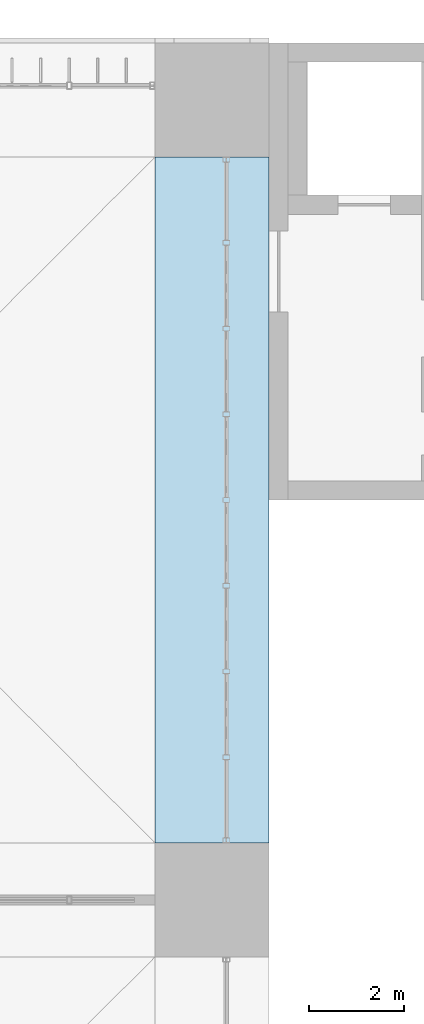
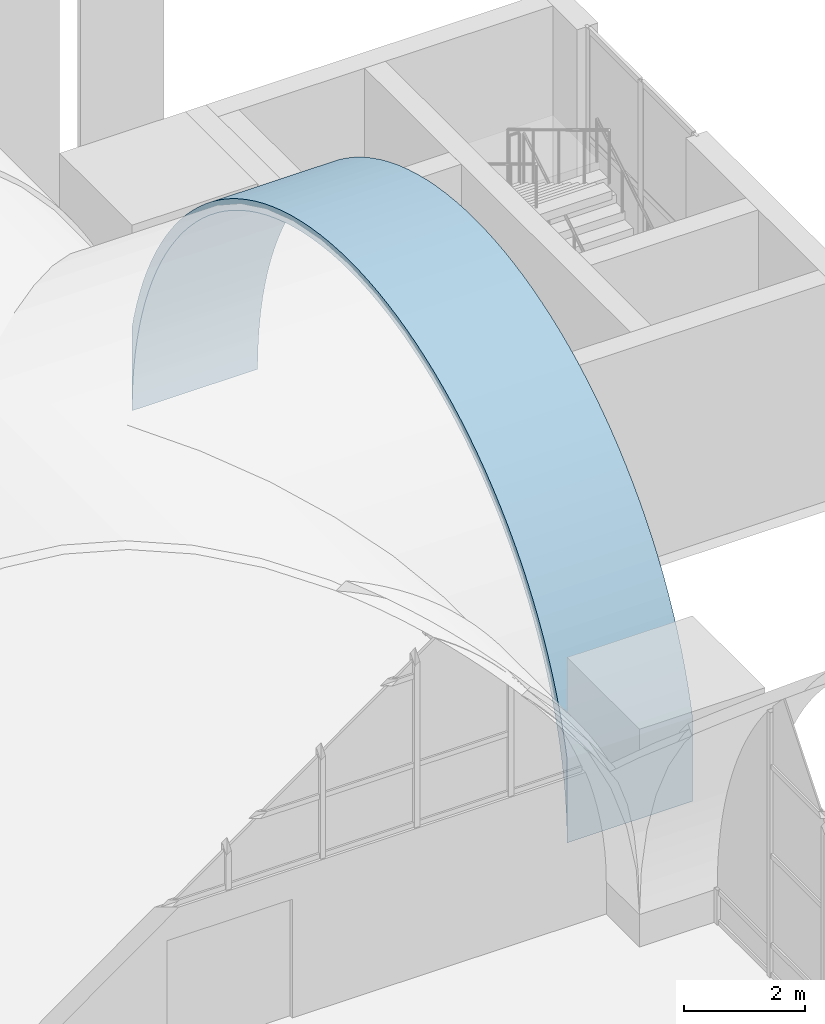
# One storey, part 146 of 169: 1 roof.
"""IFC4 building model written with IfcOpenShell, lengths in metres."""

from ifc_helpers import new_model, si_unit, direction, frame, origin, place, context, subcontext, project, spatial, polygons, material, layer, layer_set, type_object, element, save


model = new_model("IFC4")

# Units and contexts
model_context = context("Model", 3, precision=1e-05, world=origin(), true_north=direction((0.0, 1.0)))
body_context = subcontext(model_context, "Body", "Model", "MODEL_VIEW")
ifc_project = project(units=[si_unit("LENGTHUNIT", "METRE"), si_unit("AREAUNIT", "SQUARE_METRE"), si_unit("VOLUMEUNIT", "CUBIC_METRE"), si_unit("PLANEANGLEUNIT", "RADIAN"), si_unit("MASSUNIT", "GRAM", prefix="KILO")], contexts=[model_context])

# Site, building, storey
site_placement = place(None, origin())
site = spatial("IfcSite", under=ifc_project, at=site_placement, CompositionType="ELEMENT")
building_placement = place(site_placement, origin())
building = spatial("IfcBuilding", under=site, at=building_placement, Name="Verrick Yard Athletic Hall", CompositionType="ELEMENT")
storey_placement = place(building_placement, frame((0.0, 0.0, 4.39990234375)))
storey = spatial("IfcBuildingStorey", under=building, at=storey_placement, Name="L01", CompositionType="ELEMENT", Elevation=4.39990234375)

# Roof
ifc_material = material(Name="Concrete 35 MPa", Category="concrete")
ifc_layer = layer(ifc_material, 0.199951171875)
ifc_layer_set = layer_set([ifc_layer], Name="Arch rib 200")
roof_type = type_object("IfcRoofType", Name="Arch rib 200", PredefinedType="BARREL_ROOF", material=ifc_layer_set)
roof_placement = place(storey_placement, origin())
element("IfcRoof", 1, at=roof_placement, inside=storey, type_object=roof_type, Name="Vault rib X8-2", PredefinedType="BARREL_ROOF", context=body_context, shape_type="Tessellation", body=[
    polygons([(158.800048828125, 37.199951171875, 2.352294921875), (158.800048828125, 37.199951171875, 0.650146484375), (158.800048828125, 37.206787109375, 0.964111328125), (158.800048828125, 37.227294921875, 1.277587890625), (158.800048828125, 37.26171875, 1.58984375), (158.800048828125, 37.309326171875, 1.900390625), (158.800048828125, 37.37060546875, 2.20849609375), (158.800048828125, 37.4453125, 2.513671875), (158.800048828125, 37.533203125, 2.815185546875), (158.800048828125, 37.63427734375, 3.112548828125), (158.800048828125, 37.748046875, 3.405517578125), (158.800048828125, 37.87451171875, 3.693115234375), (158.800048828125, 38.013427734375, 3.974609375), (158.800048828125, 38.16455078125, 4.25), (158.800048828125, 38.32763671875, 4.518798828125), (158.800048828125, 38.502197265625, 4.77978515625), (158.800048828125, 38.68798828125, 5.033203125), (158.800048828125, 38.884521484375, 5.278076171875), (158.800048828125, 39.091552734375, 5.514404296875), (158.800048828125, 39.308837890625, 5.7412109375), (158.800048828125, 39.535888671875, 5.95849609375), (158.800048828125, 39.77197265625, 6.16552734375), (158.800048828125, 40.016845703125, 6.3623046875), (158.800048828125, 40.270263671875, 6.548095703125), (158.800048828125, 40.531494140625, 6.722412109375), (158.800048828125, 40.800048828125, 6.885498046875), (158.800048828125, 41.075439453125, 7.03662109375), (158.800048828125, 41.357177734375, 7.175537109375), (158.800048828125, 41.644775390625, 7.302001953125), (158.800048828125, 41.9375, 7.416015625), (158.800048828125, 42.23486328125, 7.516845703125), (158.800048828125, 42.53662109375, 7.604736328125), (158.800048828125, 42.841552734375, 7.679443359375), (158.800048828125, 43.149658203125, 7.74072265625), (158.800048828125, 43.460205078125, 7.78857421875), (158.800048828125, 43.7724609375, 7.82275390625), (158.800048828125, 44.0859375, 7.84326171875), (158.800048828125, 44.39990234375, 7.85009765625), (158.800048828125, 44.714111328125, 7.84326171875), (158.800048828125, 45.027587890625, 7.82275390625), (158.800048828125, 45.33984375, 7.78857421875), (158.800048828125, 45.650390625, 7.74072265625), (158.800048828125, 45.95849609375, 7.679443359375), (158.800048828125, 46.263427734375, 7.604736328125), (158.800048828125, 46.565185546875, 7.516845703125), (158.800048828125, 46.862548828125, 7.416015625), (158.800048828125, 47.1552734375, 7.302001953125), (158.800048828125, 47.44287109375, 7.175537109375), (158.800048828125, 47.724609375, 7.03662109375), (158.800048828125, 48.0, 6.885498046875), (158.800048828125, 48.2685546875, 6.722412109375), (158.800048828125, 48.52978515625, 6.548095703125), (158.800048828125, 48.783203125, 6.3623046875), (158.800048828125, 49.028076171875, 6.16552734375), (158.800048828125, 49.26416015625, 5.95849609375), (158.800048828125, 49.4912109375, 5.7412109375), (158.800048828125, 49.70849609375, 5.514404296875), (158.800048828125, 49.91552734375, 5.278076171875), (158.800048828125, 50.112060546875, 5.033203125), (158.800048828125, 50.2978515625, 4.77978515625), (158.800048828125, 50.472412109375, 4.518798828125), (158.800048828125, 50.635498046875, 4.25), (158.800048828125, 50.78662109375, 3.974609375), (158.800048828125, 50.92529296875, 3.693115234375), (158.800048828125, 51.052001953125, 3.405517578125), (158.800048828125, 51.165771484375, 3.112548828125), (158.800048828125, 51.266845703125, 2.815185546875), (158.800048828125, 51.354736328125, 2.513671875), (158.800048828125, 51.42919921875, 2.20849609375), (158.800048828125, 51.490478515625, 1.900390625), (158.800048828125, 51.538330078125, 1.58984375), (158.800048828125, 51.572509765625, 1.277587890625), (158.800048828125, 51.593017578125, 0.964111328125), (158.800048828125, 51.60009765625, 0.650146484375), (158.800048828125, 51.60009765625, 2.352294921875), (158.800048828125, 51.5478515625, 2.5654296875), (158.800048828125, 51.45751953125, 2.875244140625), (158.800048828125, 51.353759765625, 3.180908203125), (158.800048828125, 51.23681640625, 3.48193359375), (158.800048828125, 51.106689453125, 3.777587890625), (158.800048828125, 50.9638671875, 4.06689453125), (158.800048828125, 50.80859375, 4.35009765625), (158.800048828125, 50.64111328125, 4.6259765625), (158.800048828125, 50.461669921875, 4.89453125), (158.800048828125, 50.270751953125, 5.15478515625), (158.800048828125, 50.068603515625, 5.40673828125), (158.800048828125, 49.85595703125, 5.6494140625), (158.800048828125, 49.632568359375, 5.8828125), (158.800048828125, 49.3994140625, 6.10595703125), (158.800048828125, 49.156494140625, 6.31884765625), (158.800048828125, 48.90478515625, 6.52099609375), (158.800048828125, 48.64453125, 6.7119140625), (158.800048828125, 48.3759765625, 6.89111328125), (158.800048828125, 48.10009765625, 7.05859375), (158.800048828125, 47.81689453125, 7.214111328125), (158.800048828125, 47.52734375, 7.356689453125), (158.800048828125, 47.23193359375, 7.48681640625), (158.800048828125, 46.930908203125, 7.603759765625), (158.800048828125, 46.625244140625, 7.70751953125), (158.800048828125, 46.315185546875, 7.798095703125), (158.800048828125, 46.001708984375, 7.874755859375), (158.800048828125, 45.68505859375, 7.937744140625), (158.800048828125, 45.365966796875, 7.98681640625), (158.800048828125, 45.044921875, 8.02197265625), (158.800048828125, 44.722900390625, 8.043212890625), (158.800048828125, 44.39990234375, 8.050048828125), (158.800048828125, 44.0771484375, 8.043212890625), (158.800048828125, 43.7548828125, 8.02197265625), (158.800048828125, 43.43408203125, 7.98681640625), (158.800048828125, 43.114990234375, 7.937744140625), (158.800048828125, 42.79833984375, 7.874755859375), (158.800048828125, 42.484619140625, 7.798095703125), (158.800048828125, 42.1748046875, 7.70751953125), (158.800048828125, 41.869140625, 7.603759765625), (158.800048828125, 41.568115234375, 7.48681640625), (158.800048828125, 41.272705078125, 7.356689453125), (158.800048828125, 40.983154296875, 7.214111328125), (158.800048828125, 40.699951171875, 7.05859375), (158.800048828125, 40.424072265625, 6.89111328125), (158.800048828125, 40.155517578125, 6.7119140625), (158.800048828125, 39.895263671875, 6.52099609375), (158.800048828125, 39.643310546875, 6.31884765625), (158.800048828125, 39.400634765625, 6.10595703125), (158.800048828125, 39.16748046875, 5.8828125), (158.800048828125, 38.944091796875, 5.6494140625), (158.800048828125, 38.731201171875, 5.40673828125), (158.800048828125, 38.529296875, 5.15478515625), (158.800048828125, 38.33837890625, 4.89453125), (158.800048828125, 38.158935546875, 4.6259765625), (158.800048828125, 37.991455078125, 4.35009765625), (158.800048828125, 37.836181640625, 4.06689453125), (158.800048828125, 37.693359375, 3.777587890625), (158.800048828125, 37.563232421875, 3.48193359375), (158.800048828125, 37.4462890625, 3.180908203125), (158.800048828125, 37.342529296875, 2.875244140625), (158.800048828125, 37.252197265625, 2.5654296875), (156.39990234375, 37.199951171875, 2.352294921875), (156.39990234375, 37.199951171875, 0.650146484375), (156.39990234375, 37.206787109375, 0.964111328125), (156.39990234375, 37.227294921875, 1.277587890625), (156.39990234375, 37.26171875, 1.58984375), (156.39990234375, 37.309326171875, 1.900390625), (156.39990234375, 37.37060546875, 2.20849609375), (156.39990234375, 37.4453125, 2.513671875), (156.39990234375, 37.533203125, 2.815185546875), (156.39990234375, 37.63427734375, 3.112548828125), (156.39990234375, 37.748046875, 3.405517578125), (156.39990234375, 37.87451171875, 3.693115234375), (156.39990234375, 38.013427734375, 3.974609375), (156.39990234375, 38.16455078125, 4.25), (156.39990234375, 38.32763671875, 4.518798828125), (156.39990234375, 38.502197265625, 4.77978515625), (156.39990234375, 38.68798828125, 5.033203125), (156.39990234375, 38.884521484375, 5.278076171875), (156.39990234375, 39.091552734375, 5.514404296875), (156.39990234375, 39.308837890625, 5.7412109375), (156.39990234375, 39.535888671875, 5.95849609375), (156.39990234375, 39.77197265625, 6.16552734375), (156.39990234375, 40.016845703125, 6.3623046875), (156.39990234375, 40.270263671875, 6.548095703125), (156.39990234375, 40.531494140625, 6.722412109375), (156.39990234375, 40.800048828125, 6.885498046875), (156.39990234375, 41.075439453125, 7.03662109375), (156.39990234375, 41.357177734375, 7.175537109375), (156.39990234375, 41.644775390625, 7.302001953125), (156.39990234375, 41.9375, 7.416015625), (156.39990234375, 42.23486328125, 7.516845703125), (156.39990234375, 42.53662109375, 7.604736328125), (156.39990234375, 42.841552734375, 7.679443359375), (156.39990234375, 43.149658203125, 7.74072265625), (156.39990234375, 43.460205078125, 7.78857421875), (156.39990234375, 43.7724609375, 7.82275390625), (156.39990234375, 44.0859375, 7.84326171875), (156.39990234375, 44.39990234375, 7.85009765625), (156.39990234375, 44.714111328125, 7.84326171875), (156.39990234375, 45.027587890625, 7.82275390625), (156.39990234375, 45.33984375, 7.78857421875), (156.39990234375, 45.650390625, 7.74072265625), (156.39990234375, 45.95849609375, 7.679443359375), (156.39990234375, 46.263427734375, 7.604736328125), (156.39990234375, 46.565185546875, 7.516845703125), (156.39990234375, 46.862548828125, 7.416015625), (156.39990234375, 47.1552734375, 7.302001953125), (156.39990234375, 47.44287109375, 7.175537109375), (156.39990234375, 47.724609375, 7.03662109375), (156.39990234375, 48.0, 6.885498046875), (156.39990234375, 48.2685546875, 6.722412109375), (156.39990234375, 48.52978515625, 6.548095703125), (156.39990234375, 48.783203125, 6.3623046875), (156.39990234375, 49.028076171875, 6.16552734375), (156.39990234375, 49.26416015625, 5.95849609375), (156.39990234375, 49.4912109375, 5.7412109375), (156.39990234375, 49.70849609375, 5.514404296875), (156.39990234375, 49.91552734375, 5.278076171875), (156.39990234375, 50.112060546875, 5.033203125), (156.39990234375, 50.2978515625, 4.77978515625), (156.39990234375, 50.472412109375, 4.518798828125), (156.39990234375, 50.635498046875, 4.25), (156.39990234375, 50.78662109375, 3.974609375), (156.39990234375, 50.92529296875, 3.693115234375), (156.39990234375, 51.052001953125, 3.405517578125), (156.39990234375, 51.165771484375, 3.112548828125), (156.39990234375, 51.266845703125, 2.815185546875), (156.39990234375, 51.354736328125, 2.513671875), (156.39990234375, 51.42919921875, 2.20849609375), (156.39990234375, 51.490478515625, 1.900390625), (156.39990234375, 51.538330078125, 1.58984375), (156.39990234375, 51.572509765625, 1.277587890625), (156.39990234375, 51.593017578125, 0.964111328125), (156.39990234375, 51.60009765625, 0.650146484375), (156.39990234375, 51.60009765625, 2.352294921875), (156.39990234375, 51.5478515625, 2.5654296875), (156.39990234375, 51.45751953125, 2.875244140625), (156.39990234375, 51.353759765625, 3.180908203125), (156.39990234375, 51.23681640625, 3.48193359375), (156.39990234375, 51.106689453125, 3.777587890625), (156.39990234375, 50.9638671875, 4.06689453125), (156.39990234375, 50.80859375, 4.35009765625), (156.39990234375, 50.64111328125, 4.6259765625), (156.39990234375, 50.461669921875, 4.89453125), (156.39990234375, 50.270751953125, 5.15478515625), (156.39990234375, 50.068603515625, 5.40673828125), (156.39990234375, 49.85595703125, 5.6494140625), (156.39990234375, 49.632568359375, 5.8828125), (156.39990234375, 49.3994140625, 6.10595703125), (156.39990234375, 49.156494140625, 6.31884765625), (156.39990234375, 48.90478515625, 6.52099609375), (156.39990234375, 48.64453125, 6.7119140625), (156.39990234375, 48.3759765625, 6.89111328125), (156.39990234375, 48.10009765625, 7.05859375), (156.39990234375, 47.81689453125, 7.214111328125), (156.39990234375, 47.52734375, 7.356689453125), (156.39990234375, 47.23193359375, 7.48681640625), (156.39990234375, 46.930908203125, 7.603759765625), (156.39990234375, 46.625244140625, 7.70751953125), (156.39990234375, 46.315185546875, 7.798095703125), (156.39990234375, 46.001708984375, 7.874755859375), (156.39990234375, 45.68505859375, 7.937744140625), (156.39990234375, 45.365966796875, 7.98681640625), (156.39990234375, 45.044921875, 8.02197265625), (156.39990234375, 44.722900390625, 8.043212890625), (156.39990234375, 44.39990234375, 8.050048828125), (156.39990234375, 44.0771484375, 8.043212890625), (156.39990234375, 43.7548828125, 8.02197265625), (156.39990234375, 43.43408203125, 7.98681640625), (156.39990234375, 43.114990234375, 7.937744140625), (156.39990234375, 42.79833984375, 7.874755859375), (156.39990234375, 42.484619140625, 7.798095703125), (156.39990234375, 42.1748046875, 7.70751953125), (156.39990234375, 41.869140625, 7.603759765625), (156.39990234375, 41.568115234375, 7.48681640625), (156.39990234375, 41.272705078125, 7.356689453125), (156.39990234375, 40.983154296875, 7.214111328125), (156.39990234375, 40.699951171875, 7.05859375), (156.39990234375, 40.424072265625, 6.89111328125), (156.39990234375, 40.155517578125, 6.7119140625), (156.39990234375, 39.895263671875, 6.52099609375), (156.39990234375, 39.643310546875, 6.31884765625), (156.39990234375, 39.400634765625, 6.10595703125), (156.39990234375, 39.16748046875, 5.8828125), (156.39990234375, 38.944091796875, 5.6494140625), (156.39990234375, 38.731201171875, 5.40673828125), (156.39990234375, 38.529296875, 5.15478515625), (156.39990234375, 38.33837890625, 4.89453125), (156.39990234375, 38.158935546875, 4.6259765625), (156.39990234375, 37.991455078125, 4.35009765625), (156.39990234375, 37.836181640625, 4.06689453125), (156.39990234375, 37.693359375, 3.777587890625), (156.39990234375, 37.563232421875, 3.48193359375), (156.39990234375, 37.4462890625, 3.180908203125), (156.39990234375, 37.342529296875, 2.875244140625), (156.39990234375, 37.252197265625, 2.5654296875)], [[[1, 2, 3]], [[137, 139, 138]], [[136, 1, 3]], [[272, 139, 137]], [[136, 3, 4]], [[272, 140, 139]], [[136, 4, 5]], [[272, 141, 140]], [[136, 5, 6]], [[272, 142, 141]], [[136, 6, 7]], [[272, 143, 142]], [[136, 7, 8]], [[272, 144, 143]], [[136, 8, 9]], [[272, 145, 144]], [[136, 9, 10]], [[272, 146, 145]], [[136, 10, 11]], [[272, 147, 146]], [[136, 11, 12]], [[272, 148, 147]], [[136, 12, 13]], [[272, 149, 148]], [[73, 74, 75]], [[209, 211, 210]], [[72, 73, 75]], [[208, 211, 209]], [[71, 72, 75]], [[207, 211, 208]], [[70, 71, 75]], [[206, 211, 207]], [[69, 70, 75]], [[205, 211, 206]], [[68, 69, 75]], [[204, 211, 205]], [[67, 68, 75]], [[203, 211, 204]], [[66, 67, 75]], [[202, 211, 203]], [[65, 66, 75]], [[201, 211, 202]], [[64, 65, 75]], [[200, 211, 201]], [[63, 64, 75]], [[199, 211, 200]], [[63, 75, 76]], [[199, 212, 211]], [[63, 76, 77]], [[199, 213, 212]], [[62, 63, 77]], [[198, 213, 199]], [[62, 77, 78]], [[198, 214, 213]], [[61, 62, 78]], [[197, 214, 198]], [[61, 78, 79]], [[197, 215, 214]], [[60, 61, 79]], [[196, 215, 197]], [[60, 79, 80]], [[196, 216, 215]], [[59, 60, 80]], [[195, 216, 196]], [[59, 80, 81]], [[195, 217, 216]], [[58, 59, 81]], [[194, 217, 195]], [[58, 81, 82]], [[194, 218, 217]], [[57, 58, 82]], [[193, 218, 194]], [[57, 82, 83]], [[193, 219, 218]], [[56, 57, 83]], [[192, 219, 193]], [[56, 83, 84]], [[192, 220, 219]], [[55, 56, 84]], [[191, 220, 192]], [[55, 84, 85]], [[191, 221, 220]], [[54, 55, 85]], [[190, 221, 191]], [[54, 85, 86]], [[190, 222, 221]], [[53, 54, 86]], [[189, 222, 190]], [[53, 86, 87]], [[189, 223, 222]], [[52, 53, 87]], [[188, 223, 189]], [[52, 87, 88]], [[188, 224, 223]], [[51, 52, 88]], [[187, 224, 188]], [[51, 88, 89]], [[187, 225, 224]], [[50, 51, 89]], [[186, 225, 187]], [[50, 89, 90]], [[186, 226, 225]], [[49, 50, 90]], [[185, 226, 186]], [[49, 90, 91]], [[185, 227, 226]], [[48, 49, 91]], [[184, 227, 185]], [[48, 91, 92]], [[184, 228, 227]], [[47, 48, 92]], [[183, 228, 184]], [[47, 92, 93]], [[183, 229, 228]], [[46, 47, 93]], [[182, 229, 183]], [[46, 93, 94]], [[182, 230, 229]], [[45, 46, 94]], [[181, 230, 182]], [[45, 94, 95]], [[181, 231, 230]], [[44, 45, 95]], [[180, 231, 181]], [[44, 95, 96]], [[180, 232, 231]], [[43, 44, 96]], [[179, 232, 180]], [[43, 96, 97]], [[179, 233, 232]], [[42, 43, 97]], [[178, 233, 179]], [[42, 97, 98]], [[178, 234, 233]], [[41, 42, 98]], [[177, 234, 178]], [[41, 98, 99]], [[177, 235, 234]], [[40, 41, 99]], [[176, 235, 177]], [[40, 99, 100]], [[176, 236, 235]], [[39, 40, 100]], [[175, 236, 176]], [[39, 100, 101]], [[175, 237, 236]], [[38, 39, 101]], [[174, 237, 175]], [[38, 101, 102]], [[174, 238, 237]], [[37, 38, 102]], [[173, 238, 174]], [[37, 102, 103]], [[173, 239, 238]], [[36, 37, 103]], [[172, 239, 173]], [[36, 103, 104]], [[172, 240, 239]], [[35, 36, 104]], [[171, 240, 172]], [[35, 104, 105]], [[171, 241, 240]], [[34, 35, 105]], [[170, 241, 171]], [[34, 105, 106]], [[170, 242, 241]], [[33, 34, 106]], [[169, 242, 170]], [[33, 106, 107]], [[169, 243, 242]], [[32, 33, 107]], [[168, 243, 169]], [[32, 107, 108]], [[168, 244, 243]], [[31, 32, 108]], [[167, 244, 168]], [[31, 108, 109]], [[167, 245, 244]], [[30, 31, 109]], [[166, 245, 167]], [[30, 109, 110]], [[166, 246, 245]], [[29, 30, 110]], [[165, 246, 166]], [[29, 110, 111]], [[165, 247, 246]], [[28, 29, 111]], [[164, 247, 165]], [[28, 111, 112]], [[164, 248, 247]], [[27, 28, 112]], [[163, 248, 164]], [[27, 112, 113]], [[163, 249, 248]], [[26, 27, 113]], [[162, 249, 163]], [[26, 113, 114]], [[162, 250, 249]], [[25, 26, 114]], [[161, 250, 162]], [[25, 114, 115]], [[161, 251, 250]], [[24, 25, 115]], [[160, 251, 161]], [[24, 115, 116]], [[160, 252, 251]], [[23, 24, 116]], [[159, 252, 160]], [[23, 116, 117]], [[159, 253, 252]], [[22, 23, 117]], [[158, 253, 159]], [[22, 117, 118]], [[158, 254, 253]], [[21, 22, 118]], [[157, 254, 158]], [[21, 118, 119]], [[157, 255, 254]], [[20, 21, 119]], [[156, 255, 157]], [[20, 119, 120]], [[156, 256, 255]], [[19, 20, 120]], [[155, 256, 156]], [[19, 120, 121]], [[155, 257, 256]], [[18, 19, 121]], [[154, 257, 155]], [[18, 121, 122]], [[154, 258, 257]], [[17, 18, 122]], [[153, 258, 154]], [[17, 122, 123]], [[153, 259, 258]], [[16, 17, 123]], [[152, 259, 153]], [[16, 123, 124]], [[152, 260, 259]], [[15, 16, 124]], [[151, 260, 152]], [[15, 124, 125]], [[151, 261, 260]], [[14, 15, 125]], [[150, 261, 151]], [[14, 125, 126]], [[150, 262, 261]], [[13, 14, 126]], [[149, 262, 150]], [[136, 13, 126]], [[272, 262, 149]], [[136, 126, 127]], [[272, 263, 262]], [[136, 127, 128]], [[272, 264, 263]], [[136, 128, 129]], [[272, 265, 264]], [[136, 129, 130]], [[272, 266, 265]], [[136, 130, 131]], [[272, 267, 266]], [[136, 131, 132]], [[272, 268, 267]], [[136, 132, 133]], [[272, 269, 268]], [[136, 133, 134]], [[272, 270, 269]], [[134, 135, 136]], [[270, 272, 271]], [[1, 138, 2]], [[1, 137, 138]], [[2, 139, 3]], [[2, 138, 139]], [[3, 140, 4]], [[3, 139, 140]], [[4, 141, 5]], [[4, 140, 141]], [[5, 142, 6]], [[5, 141, 142]], [[6, 143, 7]], [[6, 142, 143]], [[7, 144, 8]], [[7, 143, 144]], [[8, 145, 9]], [[8, 144, 145]], [[9, 146, 10]], [[9, 145, 146]], [[10, 147, 11]], [[10, 146, 147]], [[11, 148, 12]], [[11, 147, 148]], [[12, 149, 13]], [[12, 148, 149]], [[13, 150, 14]], [[13, 149, 150]], [[14, 151, 15]], [[14, 150, 151]], [[15, 152, 16]], [[15, 151, 152]], [[16, 153, 17]], [[16, 152, 153]], [[17, 154, 18]], [[17, 153, 154]], [[18, 155, 19]], [[18, 154, 155]], [[19, 156, 20]], [[19, 155, 156]], [[20, 157, 21]], [[20, 156, 157]], [[21, 158, 22]], [[21, 157, 158]], [[22, 159, 23]], [[22, 158, 159]], [[23, 160, 24]], [[23, 159, 160]], [[24, 161, 25]], [[24, 160, 161]], [[25, 162, 26]], [[25, 161, 162]], [[26, 163, 27]], [[26, 162, 163]], [[27, 164, 28]], [[27, 163, 164]], [[28, 165, 29]], [[28, 164, 165]], [[29, 166, 30]], [[29, 165, 166]], [[30, 167, 31]], [[30, 166, 167]], [[31, 168, 32]], [[31, 167, 168]], [[32, 169, 33]], [[32, 168, 169]], [[33, 170, 34]], [[33, 169, 170]], [[34, 171, 35]], [[34, 170, 171]], [[35, 172, 36]], [[35, 171, 172]], [[36, 173, 37]], [[36, 172, 173]], [[37, 174, 38]], [[37, 173, 174]], [[38, 175, 39]], [[38, 174, 175]], [[39, 176, 40]], [[39, 175, 176]], [[40, 177, 41]], [[40, 176, 177]], [[41, 178, 42]], [[41, 177, 178]], [[42, 179, 43]], [[42, 178, 179]], [[43, 180, 44]], [[43, 179, 180]], [[44, 181, 45]], [[44, 180, 181]], [[45, 182, 46]], [[45, 181, 182]], [[46, 183, 47]], [[46, 182, 183]], [[47, 184, 48]], [[47, 183, 184]], [[48, 185, 49]], [[48, 184, 185]], [[49, 186, 50]], [[49, 185, 186]], [[50, 187, 51]], [[50, 186, 187]], [[51, 188, 52]], [[51, 187, 188]], [[52, 189, 53]], [[52, 188, 189]], [[53, 190, 54]], [[53, 189, 190]], [[54, 191, 55]], [[54, 190, 191]], [[55, 192, 56]], [[55, 191, 192]], [[56, 193, 57]], [[56, 192, 193]], [[57, 194, 58]], [[57, 193, 194]], [[58, 195, 59]], [[58, 194, 195]], [[59, 196, 60]], [[59, 195, 196]], [[60, 197, 61]], [[60, 196, 197]], [[61, 198, 62]], [[61, 197, 198]], [[62, 199, 63]], [[62, 198, 199]], [[63, 200, 64]], [[63, 199, 200]], [[64, 201, 65]], [[64, 200, 201]], [[65, 202, 66]], [[65, 201, 202]], [[66, 203, 67]], [[66, 202, 203]], [[67, 204, 68]], [[67, 203, 204]], [[68, 205, 69]], [[68, 204, 205]], [[69, 206, 70]], [[69, 205, 206]], [[70, 207, 71]], [[70, 206, 207]], [[71, 208, 72]], [[71, 207, 208]], [[72, 209, 73]], [[72, 208, 209]], [[73, 210, 74]], [[73, 209, 210]], [[74, 211, 75]], [[74, 210, 211]], [[75, 212, 76]], [[75, 211, 212]], [[76, 213, 77]], [[76, 212, 213]], [[77, 214, 78]], [[77, 213, 214]], [[78, 215, 79]], [[78, 214, 215]], [[79, 216, 80]], [[79, 215, 216]], [[80, 217, 81]], [[80, 216, 217]], [[81, 218, 82]], [[81, 217, 218]], [[82, 219, 83]], [[82, 218, 219]], [[83, 220, 84]], [[83, 219, 220]], [[84, 221, 85]], [[84, 220, 221]], [[85, 222, 86]], [[85, 221, 222]], [[86, 223, 87]], [[86, 222, 223]], [[87, 224, 88]], [[87, 223, 224]], [[88, 225, 89]], [[88, 224, 225]], [[89, 226, 90]], [[89, 225, 226]], [[90, 227, 91]], [[90, 226, 227]], [[91, 228, 92]], [[91, 227, 228]], [[92, 229, 93]], [[92, 228, 229]], [[93, 230, 94]], [[93, 229, 230]], [[94, 231, 95]], [[94, 230, 231]], [[95, 232, 96]], [[95, 231, 232]], [[96, 233, 97]], [[96, 232, 233]], [[97, 234, 98]], [[97, 233, 234]], [[98, 235, 99]], [[98, 234, 235]], [[99, 236, 100]], [[99, 235, 236]], [[100, 237, 101]], [[100, 236, 237]], [[101, 238, 102]], [[101, 237, 238]], [[102, 239, 103]], [[102, 238, 239]], [[103, 240, 104]], [[103, 239, 240]], [[104, 241, 105]], [[104, 240, 241]], [[105, 242, 106]], [[105, 241, 242]], [[106, 243, 107]], [[106, 242, 243]], [[107, 244, 108]], [[107, 243, 244]], [[108, 245, 109]], [[108, 244, 245]], [[109, 246, 110]], [[109, 245, 246]], [[110, 247, 111]], [[110, 246, 247]], [[111, 248, 112]], [[111, 247, 248]], [[112, 249, 113]], [[112, 248, 249]], [[113, 250, 114]], [[113, 249, 250]], [[114, 251, 115]], [[114, 250, 251]], [[115, 252, 116]], [[115, 251, 252]], [[116, 253, 117]], [[116, 252, 253]], [[117, 254, 118]], [[117, 253, 254]], [[118, 255, 119]], [[118, 254, 255]], [[119, 256, 120]], [[119, 255, 256]], [[120, 257, 121]], [[120, 256, 257]], [[121, 258, 122]], [[121, 257, 258]], [[122, 259, 123]], [[122, 258, 259]], [[123, 260, 124]], [[123, 259, 260]], [[124, 261, 125]], [[124, 260, 261]], [[125, 262, 126]], [[125, 261, 262]], [[126, 263, 127]], [[126, 262, 263]], [[127, 264, 128]], [[127, 263, 264]], [[128, 265, 129]], [[128, 264, 265]], [[129, 266, 130]], [[129, 265, 266]], [[130, 267, 131]], [[130, 266, 267]], [[131, 268, 132]], [[131, 267, 268]], [[132, 269, 133]], [[132, 268, 269]], [[133, 270, 134]], [[133, 269, 270]], [[134, 271, 135]], [[134, 270, 271]], [[135, 272, 136]], [[135, 271, 272]], [[136, 137, 1]], [[136, 272, 137]]], closed=True),
])

save(model, "model.ifc")
